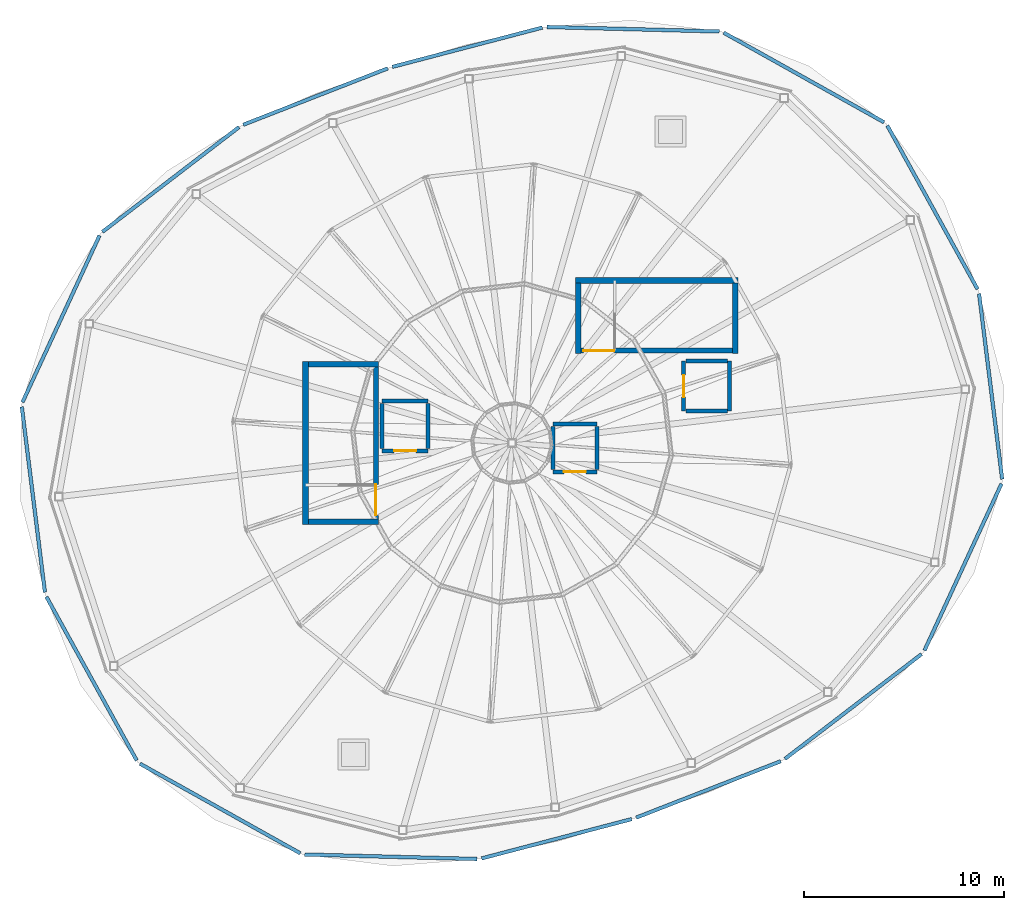
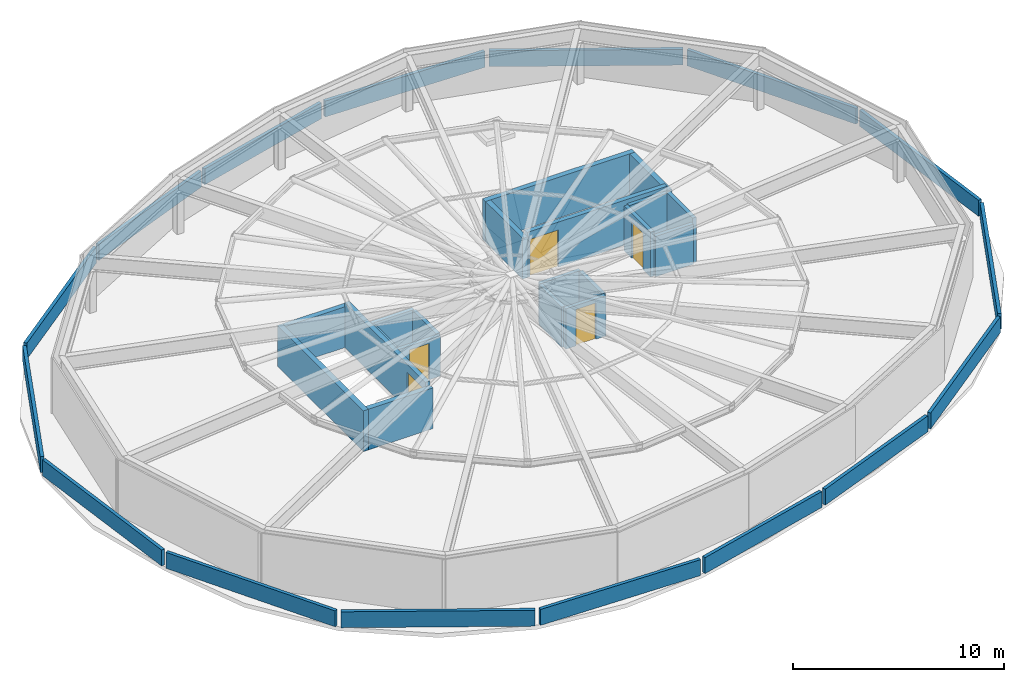
# One storey, part 8 of 9: 36 walls, 5 doors, 5 openings.
"""IFC4 building model written with IfcOpenShell, lengths in metres."""

from ifc_helpers import new_model, si_unit, direction, frame, frame_2d, origin, place, context, subcontext, project, spatial, rectangle, extrude, material, layer, layer_set, type_object, element, fill, save


model = new_model("IFC4")

# Units and contexts
model_context = context("Model", 3, precision=1e-05, world=origin(), true_north=direction((0.0, 1.0)))
body_context = subcontext(model_context, "Body", "Model", "MODEL_VIEW")
ifc_project = project(units=[si_unit("LENGTHUNIT", "METRE"), si_unit("AREAUNIT", "SQUARE_METRE"), si_unit("VOLUMEUNIT", "CUBIC_METRE"), si_unit("PLANEANGLEUNIT", "RADIAN"), si_unit("MASSUNIT", "GRAM", prefix="KILO")], contexts=[model_context])

# Site, building, storey
site_placement = place(None, origin())
site = spatial("IfcSite", under=ifc_project, at=site_placement, CompositionType="ELEMENT")
building_placement = place(site_placement, origin())
building = spatial("IfcBuilding", under=site, at=building_placement, Name="Kazma Halo Residences", CompositionType="ELEMENT")
storey_placement = place(building_placement, frame((0.0, 0.0, 377.60009765625)))
storey = spatial("IfcBuildingStorey", under=building, at=storey_placement, Name="Roof", CompositionType="ELEMENT", Elevation=377.60009765625)

# Walls
ifc_material_1 = material(Name="White Concrete C50/60 Balustrade", Category="concrete")
ifc_layer_1 = layer(ifc_material_1, 0.179931640625)
ifc_layer_set_1 = layer_set([ifc_layer_1], Name="White Concrete C50/60 Balustrade")
wall_type_1 = type_object("IfcWallType", Name="WL-BAL-WAVE-180", PredefinedType="PARAPET", material=ifc_layer_set_1)
wall_1_placement = place(storey_placement, frame((71.31689453125, 49.7001953125, 0.0), z_axis=(0.0, 0.0, 1.0), x_axis=(-0.483063555182, 0.875585290908, 0.0)))
element("IfcWall", 1, at=wall_1_placement, inside=storey, type_object=wall_type_1, Name="Crown maintenance roof low parapet wall 01", PredefinedType="PARAPET", context=body_context, shape_type="SweptSolid", body=[
    extrude(rectangle(XDim=9.362060546875, YDim=0.179931640625, at=frame_2d((4.68115234375, 0.0))), origin(), (0.0, 0.0, 1.0), 0.919921875),
])
wall_2_placement = place(storey_placement, frame((66.6318359375, 58.06103515625, 0.0), z_axis=(0.0, 0.0, 1.0), x_axis=(-0.872912226157, 0.487877285211, 0.0)))
element("IfcWall", 2, at=wall_2_placement, inside=storey, type_object=wall_type_1, Name="Crown maintenance roof low parapet wall 02", PredefinedType="PARAPET", context=body_context, shape_type="SweptSolid", body=[
    extrude(rectangle(XDim=9.196533203125, YDim=0.179931640625, at=frame_2d((4.59814453125, 0.0))), origin(), (0.0, 0.0, 1.0), 0.919921875),
])
wall_3_placement = place(storey_placement, frame((58.37939453125, 62.609375, 0.0), z_axis=(0.0, 0.0, 1.0), x_axis=(-0.999662855119, 0.025964901236, 0.0)))
element("IfcWall", 3, at=wall_3_placement, inside=storey, type_object=wall_type_1, Name="Crown maintenance roof low parapet wall 03", PredefinedType="PARAPET", context=body_context, shape_type="SweptSolid", body=[
    extrude(rectangle(XDim=8.622314453125, YDim=0.179931640625, at=frame_2d((4.31103515625, 0.0))), origin(), (0.0, 0.0, 1.0), 0.919921875),
])
for number, where, z_axis, x_axis, name in (
    (4, (49.523681640625, 62.805908203125, 0.0), (0.0, 0.0, 1.0), (-0.967332431453, -0.253511275999, 0.0), "Crown maintenance roof low parapet wall 04"),
    (5, (41.778076171875, 60.76171875, 0.0), (0.0, 0.0, 1.0), (-0.931599673734, -0.363485966576, 0.0), "Crown maintenance roof low parapet wall 05"),
):
    element("IfcWall", number, at=place(storey_placement, frame(where, z_axis=z_axis, x_axis=x_axis)), inside=storey, type_object=wall_type_1, Name=name, PredefinedType="PARAPET", context=body_context, shape_type="SweptSolid", body=[
        extrude(rectangle(XDim=7.771728515625, YDim=0.179931640625, at=frame_2d((3.8857421875, 0.0))), origin(), (0.0, 0.0, 1.0), 0.919921875),
    ])
wall_4_placement = place(storey_placement, frame((34.330810546875, 57.820068359375, 0.0), z_axis=(0.0, 0.0, 1.0), x_axis=(-0.793484210744, -0.608590837344, 0.0)))
element("IfcWall", 6, at=wall_4_placement, inside=storey, type_object=wall_type_1, Name="Crown maintenance roof low parapet wall 06", PredefinedType="PARAPET", context=body_context, shape_type="SweptSolid", body=[
    extrude(rectangle(XDim=8.62255859375, YDim=0.179931640625, at=frame_2d((4.311279296875, 0.0))), origin(), (0.0, 0.0, 1.0), 0.919921875),
])
wall_5_placement = place(storey_placement, frame((27.343505859375, 52.390380859375, 0.0), z_axis=(0.0, 0.0, 1.0), x_axis=(-0.419445339593, -0.907780594138, 0.0)))
element("IfcWall", 7, at=wall_5_placement, inside=storey, type_object=wall_type_1, Name="Crown maintenance roof low parapet wall 07", PredefinedType="PARAPET", context=body_context, shape_type="SweptSolid", body=[
    extrude(rectangle(XDim=9.196533203125, YDim=0.179931640625, at=frame_2d((4.59814453125, 0.0))), origin(), (0.0, 0.0, 1.0), 0.919921875),
])
for number, where, z_axis, x_axis, name in (
    (8, (23.45068359375, 43.814208984375, 0.0), (0.0, 0.0, 1.0), (0.123842159771, -0.992301929588, 0.0), "Crown maintenance roof low parapet wall 08"),
    (9, (24.68310546875, 34.2998046875, 0.0), (0.0, 0.0, 1.0), (0.483063555182, -0.875585290908, 0.0), "Crown maintenance roof low parapet wall 09"),
):
    element("IfcWall", number, at=place(storey_placement, frame(where, z_axis=z_axis, x_axis=x_axis)), inside=storey, type_object=wall_type_1, Name=name, PredefinedType="PARAPET", context=body_context, shape_type="SweptSolid", body=[
        extrude(rectangle(XDim=9.362060546875, YDim=0.179931640625, at=frame_2d((4.68115234375, 0.0))), origin(), (0.0, 0.0, 1.0), 0.919921875),
    ])
wall_6_placement = place(storey_placement, frame((29.3681640625, 25.93896484375, 0.0), z_axis=(0.0, 0.0, 1.0), x_axis=(0.872912226157, -0.487877285211, 0.0)))
element("IfcWall", 10, at=wall_6_placement, inside=storey, type_object=wall_type_1, Name="Crown maintenance roof low parapet wall 10", PredefinedType="PARAPET", context=body_context, shape_type="SweptSolid", body=[
    extrude(rectangle(XDim=9.196533203125, YDim=0.179931640625, at=frame_2d((4.59814453125, 0.0))), origin(), (0.0, 0.0, 1.0), 0.919921875),
])
wall_7_placement = place(storey_placement, frame((37.62060546875, 21.390625, 0.0), z_axis=(0.0, 0.0, 1.0), x_axis=(0.999662855119, -0.025964901236, 0.0)))
element("IfcWall", 11, at=wall_7_placement, inside=storey, type_object=wall_type_1, Name="Crown maintenance roof low parapet wall 11", PredefinedType="PARAPET", context=body_context, shape_type="SweptSolid", body=[
    extrude(rectangle(XDim=8.622314453125, YDim=0.179931640625, at=frame_2d((4.31103515625, 0.0))), origin(), (0.0, 0.0, 1.0), 0.919921875),
])
for number, where, z_axis, x_axis, name in (
    (12, (46.476318359375, 21.194091796875, 0.0), (0.0, 0.0, 1.0), (0.967332431453, 0.253511275999, 0.0), "Crown maintenance roof low parapet wall 12"),
    (13, (54.221923828125, 23.23828125, 0.0), (0.0, 0.0, 1.0), (0.931599673734, 0.363485966576, 0.0), "Crown maintenance roof low parapet wall 13"),
):
    element("IfcWall", number, at=place(storey_placement, frame(where, z_axis=z_axis, x_axis=x_axis)), inside=storey, type_object=wall_type_1, Name=name, PredefinedType="PARAPET", context=body_context, shape_type="SweptSolid", body=[
        extrude(rectangle(XDim=7.771728515625, YDim=0.179931640625, at=frame_2d((3.8857421875, 0.0))), origin(), (0.0, 0.0, 1.0), 0.919921875),
    ])
wall_8_placement = place(storey_placement, frame((61.669189453125, 26.179931640625, 0.0), z_axis=(0.0, 0.0, 1.0), x_axis=(0.793484210744, 0.608590837344, 0.0)))
element("IfcWall", 14, at=wall_8_placement, inside=storey, type_object=wall_type_1, Name="Crown maintenance roof low parapet wall 14", PredefinedType="PARAPET", context=body_context, shape_type="SweptSolid", body=[
    extrude(rectangle(XDim=8.62255859375, YDim=0.179931640625, at=frame_2d((4.311279296875, 0.0))), origin(), (0.0, 0.0, 1.0), 0.919921875),
])
wall_9_placement = place(storey_placement, frame((68.656494140625, 31.609619140625, 0.0), z_axis=(0.0, 0.0, 1.0), x_axis=(0.419445339593, 0.907780594138, 0.0)))
element("IfcWall", 15, at=wall_9_placement, inside=storey, type_object=wall_type_1, Name="Crown maintenance roof low parapet wall 15", PredefinedType="PARAPET", context=body_context, shape_type="SweptSolid", body=[
    extrude(rectangle(XDim=9.196533203125, YDim=0.179931640625, at=frame_2d((4.59814453125, 0.0))), origin(), (0.0, 0.0, 1.0), 0.919921875),
])
wall_10_placement = place(storey_placement, frame((72.54931640625, 40.185791015625, 0.0), z_axis=(0.0, 0.0, 1.0), x_axis=(-0.123842159771, 0.992301929588, 0.0)))
element("IfcWall", 16, at=wall_10_placement, inside=storey, type_object=wall_type_1, Name="Crown maintenance roof low parapet wall 16", PredefinedType="PARAPET", context=body_context, shape_type="SweptSolid", body=[
    extrude(rectangle(XDim=9.362060546875, YDim=0.179931640625, at=frame_2d((4.68115234375, 0.0))), origin(), (0.0, 0.0, 1.0), 0.919921875),
])

# Wall, opening, door
ifc_material_2 = material(Name="Concrete C50/60", Category="concrete")
ifc_layer_2 = layer(ifc_material_2, 0.25)
ifc_layer_set_2 = layer_set([ifc_layer_2], Name="Concrete C50/60")
wall_type_2 = type_object("IfcWallType", Name="WL-EXT-HH-250", PredefinedType="SOLIDWALL", material=ifc_layer_set_2)
wall_11_placement = place(storey_placement, frame((41.179931640625, 38.179931640625, 0.0), z_axis=(0.0, 0.0, 1.0), x_axis=(0.0, 1.0, 0.0)))
wall_11 = element("IfcWall", 17, at=wall_11_placement, inside=storey, type_object=wall_type_2, Name="Roof exit stair ST-01 head-house door wall", PredefinedType="SOLIDWALL", context=body_context, shape_type="SweptSolid", body=[
    extrude(rectangle(XDim=7.64013671875, YDim=0.25, at=frame_2d((3.820068359375, 0.0))), origin(), (0.0, 0.0, 1.0), 2.599853515625),
])
opening_1_placement = place(wall_11_placement, frame((0.199951171875, 0.0, 0.0)))
opening_1 = element("IfcOpeningElement", 18, at=opening_1_placement, cuts=wall_11, Name="Opening DHH-1550", PredefinedType="OPENING", context=body_context, shape_type="SweptSolid", body=[
    extrude(rectangle(XDim=1.550048828125, YDim=2.14990234375, at=frame_2d((0.77490234375, 1.074951171875))), frame((0.0, 0.135009765625, 0.0), z_axis=(0.0, -1.0, 0.0), x_axis=(1.0, 0.0, 0.0)), (0.0, 0.0, 1.0), 0.27001953125),
])
ifc_material_3 = material(Name="Fire-Rated Double Steel Leaf", Category="steel")
door_type_1 = type_object("IfcDoorType", Name="DR-EXT-HH-1550", OperationType="NOTDEFINED", PredefinedType="DOOR", material=ifc_material_3)
door_1_placement = place(opening_1_placement, origin())
door_1 = element("IfcDoor", 19, at=door_1_placement, inside=storey, type_object=door_type_1, Name="Roof exit stair ST-01 maintenance access door", OperationType="DOUBLE_DOOR_SINGLE_SWING", OverallHeight=2.14990234375, OverallWidth=1.550048828125, PredefinedType="DOOR", context=body_context, shape_type="SweptSolid", body=[
    extrude(rectangle(XDim=1.550048828125, YDim=2.14990234375, at=frame_2d((0.77490234375, 1.074951171875))), frame((0.0, 0.02490234375, 0.0), z_axis=(0.0, -1.0, 0.0), x_axis=(1.0, 0.0, 0.0)), (0.0, 0.0, 1.0), 0.050048828125),
])
fill(opening_1, door_1)

wall_12_placement = place(storey_placement, frame((51.429931640625, 46.6201171875, 0.0), z_axis=(0.0, 0.0, 1.0), x_axis=(1.0, 0.0, 0.0)))
wall_12 = element("IfcWall", 20, at=wall_12_placement, inside=storey, type_object=wall_type_2, Name="Roof exit stair ST-02 head-house door wall", PredefinedType="SOLIDWALL", context=body_context, shape_type="SweptSolid", body=[
    extrude(rectangle(XDim=7.64013671875, YDim=0.25, at=frame_2d((3.820068359375, 0.0))), origin(), (0.0, 0.0, 1.0), 2.599853515625),
])
opening_2_placement = place(wall_12_placement, frame((0.14990234375, 0.0, 0.0)))
opening_2 = element("IfcOpeningElement", 21, at=opening_2_placement, cuts=wall_12, Name="Opening DHH-1550", PredefinedType="OPENING", context=body_context, shape_type="SweptSolid", body=[
    extrude(rectangle(XDim=1.550048828125, YDim=2.14990234375, at=frame_2d((0.77490234375, 1.074951171875))), frame((0.0, 0.135009765625, 0.0), z_axis=(0.0, -1.0, 0.0), x_axis=(1.0, 0.0, 0.0)), (0.0, 0.0, 1.0), 0.27001953125),
])
door_2_placement = place(opening_2_placement, origin())
door_2 = element("IfcDoor", 22, at=door_2_placement, inside=storey, type_object=door_type_1, Name="Roof exit stair ST-02 maintenance access door", OperationType="DOUBLE_DOOR_SINGLE_SWING", OverallHeight=2.14990234375, OverallWidth=1.550048828125, PredefinedType="DOOR", context=body_context, shape_type="SweptSolid", body=[
    extrude(rectangle(XDim=1.550048828125, YDim=2.14990234375, at=frame_2d((0.77490234375, 1.074951171875))), frame((0.0, 0.02490234375, 0.0), z_axis=(0.0, -1.0, 0.0), x_axis=(1.0, 0.0, 0.0)), (0.0, 0.0, 1.0), 0.050048828125),
])
fill(opening_2, door_2)

# Walls
ifc_material_4 = material(Name="Concrete C60/75", Category="concrete")
ifc_layer_3 = layer(ifc_material_4, 0.280029296875)
ifc_layer_set_3 = layer_set([ifc_layer_3], Name="Concrete C60/75")
wall_type_3 = type_object("IfcWallType", Name="WL-EXT-HH-280", PredefinedType="SHEAR", material=ifc_layer_set_3)
wall_13_placement = place(storey_placement, frame((37.659912109375, 37.919921875, 0.0), z_axis=(0.0, 0.0, 1.0), x_axis=(0.0, 1.0, 0.0)))
element("IfcWall", 23, at=wall_13_placement, inside=storey, type_object=wall_type_3, Name="Roof stairwell head-house wall ST01-W", PredefinedType="SHEAR", context=body_context, shape_type="SweptSolid", body=[
    extrude(rectangle(XDim=8.16015625, YDim=0.280029296875, at=frame_2d((4.080078125, 0.0))), origin(), (0.0, 0.0, 1.0), 2.35400390625),
])
for number, where, z_axis, x_axis, name in (
    (24, (37.800048828125, 38.06005859375, 0.0), (0.0, 0.0, 1.0), (1.0, 0.0, 0.0), "Roof stairwell head-house wall ST01-S"),
    (25, (37.800048828125, 45.93994140625, 0.0), (0.0, 0.0, 1.0), (1.0, 0.0, 0.0), "Roof stairwell head-house wall ST01-N"),
):
    element("IfcWall", number, at=place(storey_placement, frame(where, z_axis=z_axis, x_axis=x_axis)), inside=storey, type_object=wall_type_3, Name=name, PredefinedType="SHEAR", context=body_context, shape_type="SweptSolid", body=[
        extrude(rectangle(XDim=3.52001953125, YDim=0.280029296875, at=frame_2d((1.760009765625, 0.0))), origin(), (0.0, 0.0, 1.0), 2.35400390625),
    ])
wall_14_placement = place(storey_placement, frame((51.169921875, 50.139892578125, 0.0), z_axis=(0.0, 0.0, 1.0), x_axis=(1.0, 0.0, 0.0)))
element("IfcWall", 26, at=wall_14_placement, inside=storey, type_object=wall_type_3, Name="Roof stairwell head-house wall ST02-N", PredefinedType="SHEAR", context=body_context, shape_type="SweptSolid", body=[
    extrude(rectangle(XDim=8.16015625, YDim=0.280029296875, at=frame_2d((4.080078125, 0.0))), origin(), (0.0, 0.0, 1.0), 2.35400390625),
])
for number, where, z_axis, x_axis, name in (
    (27, (51.31005859375, 46.47998046875, 0.0), (0.0, 0.0, 1.0), (0.0, 1.0, 0.0), "Roof stairwell head-house wall ST02-W"),
    (28, (59.18994140625, 46.47998046875, 0.0), (0.0, 0.0, 1.0), (0.0, 1.0, 0.0), "Roof stairwell head-house wall ST02-E"),
):
    element("IfcWall", number, at=place(storey_placement, frame(where, z_axis=z_axis, x_axis=x_axis)), inside=storey, type_object=wall_type_3, Name=name, PredefinedType="SHEAR", context=body_context, shape_type="SweptSolid", body=[
        extrude(rectangle(XDim=3.52001953125, YDim=0.280029296875, at=frame_2d((1.760009765625, 0.0))), origin(), (0.0, 0.0, 1.0), 2.35400390625),
    ])

# Wall, opening, door
ifc_material_5 = material(Name="Fire-Rated Blockwork Masonry", Category="masonry")
ifc_layer_4 = layer(ifc_material_5, 0.199951171875)
ifc_layer_set_4 = layer_set([ifc_layer_4], Name="Fire-Rated Blockwork Masonry")
wall_type_4 = type_object("IfcWallType", Name="WL-FLB-200", PredefinedType="PARTITIONING", material=ifc_layer_set_4)
wall_15_placement = place(storey_placement, frame((43.800048828125, 41.60009765625, 0.0), z_axis=(0.0, 0.0, 1.0), x_axis=(-1.0, 0.0, 0.0)))
wall_15 = element("IfcWall", 29, at=wall_15_placement, inside=storey, type_object=wall_type_4, Name="Roof lift shaft FL-01 front wall", PredefinedType="PARTITIONING", context=body_context, shape_type="SweptSolid", body=[
    extrude(rectangle(XDim=2.300048828125, YDim=0.199951171875, at=frame_2d((1.14990234375, 0.0))), origin(), (0.0, 0.0, 1.0), 2.328857421875),
])
opening_3_placement = place(wall_15_placement, frame((0.60009765625, 0.0, 0.0)))
opening_3 = element("IfcOpeningElement", 30, at=opening_3_placement, cuts=wall_15, Name="Opening LD-FL-01", PredefinedType="OPENING", context=body_context, shape_type="SweptSolid", body=[
    extrude(rectangle(XDim=1.10009765625, YDim=2.10009765625, at=frame_2d((0.550048828125, 1.050048828125))), frame((0.0, 0.10986328125, 0.0), z_axis=(0.0, -1.0, 0.0), x_axis=(1.0, 0.0, 0.0)), (0.0, 0.0, 1.0), 0.219970703125),
])
ifc_material_6 = material(Name="Stainless Steel Fire-Rated", Category="steel")
door_type_2 = type_object("IfcDoorType", Name="DR-LIFT-SLD-1100", OperationType="DOUBLE_DOOR_SLIDING", PredefinedType="DOOR", material=ifc_material_6)
door_3_placement = place(opening_3_placement, origin())
door_3 = element("IfcDoor", 31, at=door_3_placement, inside=storey, type_object=door_type_2, Name="Roof lift FL-01 sliding landing door", OperationType="DOUBLE_DOOR_SLIDING", OverallHeight=2.10009765625, OverallWidth=1.10009765625, PredefinedType="DOOR", context=body_context, shape_type="SweptSolid", body=[
    extrude(rectangle(XDim=1.10009765625, YDim=2.10009765625, at=frame_2d((0.550048828125, 1.050048828125))), frame((0.0, 0.02490234375, 0.0), z_axis=(0.0, -1.0, 0.0), x_axis=(1.0, 0.0, 0.0)), (0.0, 0.0, 1.0), 0.050048828125),
])
fill(opening_3, door_3)

# Walls
for number, where, z_axis, x_axis, name in (
    (32, (41.5, 41.719970703125, 0.0), (0.0, 0.0, 1.0), (0.0, 1.0, 0.0), "Roof lift shaft FL-01 wall W"),
    (33, (43.800048828125, 41.719970703125, 0.0), (0.0, 0.0, 1.0), (0.0, 1.0, 0.0), "Roof lift shaft FL-01 wall E"),
):
    element("IfcWall", number, at=place(storey_placement, frame(where, z_axis=z_axis, x_axis=x_axis)), inside=storey, type_object=wall_type_4, Name=name, PredefinedType="PARTITIONING", context=body_context, shape_type="SweptSolid", body=[
        extrude(rectangle(XDim=2.260009765625, YDim=0.199951171875, at=frame_2d((1.1298828125, 0.0))), origin(), (0.0, 0.0, 1.0), 2.328857421875),
    ])
wall_16_placement = place(storey_placement, frame((41.5, 44.10009765625, 0.0), z_axis=(0.0, 0.0, 1.0), x_axis=(1.0, 0.0, 0.0)))
element("IfcWall", 34, at=wall_16_placement, inside=storey, type_object=wall_type_4, Name="Roof lift shaft FL-01 wall N", PredefinedType="PARTITIONING", context=body_context, shape_type="SweptSolid", body=[
    extrude(rectangle(XDim=2.300048828125, YDim=0.199951171875, at=frame_2d((1.14990234375, 0.0))), origin(), (0.0, 0.0, 1.0), 2.328857421875),
])

# Wall, opening, door
wall_17_placement = place(storey_placement, frame((56.60009765625, 46.10009765625, 0.0), z_axis=(0.0, 0.0, 1.0), x_axis=(0.0, -1.0, 0.0)))
wall_17 = element("IfcWall", 35, at=wall_17_placement, inside=storey, type_object=wall_type_4, Name="Roof lift shaft FL-02 front wall", PredefinedType="PARTITIONING", context=body_context, shape_type="SweptSolid", body=[
    extrude(rectangle(XDim=2.5, YDim=0.199951171875, at=frame_2d((1.25, 0.0))), origin(), (0.0, 0.0, 1.0), 2.599853515625),
])
opening_4_placement = place(wall_17_placement, frame((0.699951171875, 0.0, 0.0)))
opening_4 = element("IfcOpeningElement", 36, at=opening_4_placement, cuts=wall_17, Name="Opening LD-FL-02", PredefinedType="OPENING", context=body_context, shape_type="SweptSolid", body=[
    extrude(rectangle(XDim=1.10009765625, YDim=2.10009765625, at=frame_2d((0.550048828125, 1.050048828125))), frame((0.0, 0.10986328125, 0.0), z_axis=(0.0, -1.0, 0.0), x_axis=(1.0, 0.0, 0.0)), (0.0, 0.0, 1.0), 0.219970703125),
])
door_4_placement = place(opening_4_placement, origin())
door_4 = element("IfcDoor", 37, at=door_4_placement, inside=storey, type_object=door_type_2, Name="Roof lift FL-02 sliding landing door", OperationType="DOUBLE_DOOR_SLIDING", OverallHeight=2.10009765625, OverallWidth=1.10009765625, PredefinedType="DOOR", context=body_context, shape_type="SweptSolid", body=[
    extrude(rectangle(XDim=1.10009765625, YDim=2.10009765625, at=frame_2d((0.550048828125, 1.050048828125))), frame((0.0, 0.02490234375, 0.0), z_axis=(0.0, -1.0, 0.0), x_axis=(1.0, 0.0, 0.0)), (0.0, 0.0, 1.0), 0.050048828125),
])
fill(opening_4, door_4)

# Walls
wall_18_placement = place(storey_placement, frame((56.719970703125, 46.10009765625, 0.0), z_axis=(0.0, 0.0, 1.0), x_axis=(1.0, 0.0, 0.0)))
element("IfcWall", 38, at=wall_18_placement, inside=storey, type_object=wall_type_4, Name="Roof lift shaft FL-02 wall N", PredefinedType="PARTITIONING", context=body_context, shape_type="SweptSolid", body=[
    extrude(rectangle(XDim=2.06005859375, YDim=0.199951171875, at=frame_2d((1.030029296875, 0.0))), origin(), (0.0, 0.0, 1.0), 2.599853515625),
])
wall_19_placement = place(storey_placement, frame((56.719970703125, 43.60009765625, 0.0), z_axis=(0.0, 0.0, 1.0), x_axis=(1.0, 0.0, 0.0)))
element("IfcWall", 39, at=wall_19_placement, inside=storey, type_object=wall_type_4, Name="Roof lift shaft FL-02 wall S", PredefinedType="PARTITIONING", context=body_context, shape_type="SweptSolid", body=[
    extrude(rectangle(XDim=2.06005859375, YDim=0.199951171875, at=frame_2d((1.030029296875, 0.0))), origin(), (0.0, 0.0, 1.0), 2.328857421875),
])
wall_20_placement = place(storey_placement, frame((58.89990234375, 43.60009765625, 0.0), z_axis=(0.0, 0.0, 1.0), x_axis=(0.0, 1.0, 0.0)))
element("IfcWall", 40, at=wall_20_placement, inside=storey, type_object=wall_type_4, Name="Roof lift shaft FL-02 wall E", PredefinedType="PARTITIONING", context=body_context, shape_type="SweptSolid", body=[
    extrude(rectangle(XDim=2.5, YDim=0.199951171875, at=frame_2d((1.25, 0.0))), origin(), (0.0, 0.0, 1.0), 2.599853515625),
])

# Wall, opening, door
wall_21_placement = place(storey_placement, frame((52.25, 40.550048828125, 0.0), z_axis=(0.0, 0.0, 1.0), x_axis=(-1.0, 0.0, 0.0)))
wall_21 = element("IfcWall", 41, at=wall_21_placement, inside=storey, type_object=wall_type_4, Name="Roof lift shaft SV-01 front wall", PredefinedType="PARTITIONING", context=body_context, shape_type="SweptSolid", body=[
    extrude(rectangle(XDim=2.199951171875, YDim=0.199951171875, at=frame_2d((1.10009765625, 0.0))), origin(), (0.0, 0.0, 1.0), 2.328857421875),
])
opening_5_placement = place(wall_21_placement, frame((0.550048828125, 0.0, 0.0)))
opening_5 = element("IfcOpeningElement", 42, at=opening_5_placement, cuts=wall_21, Name="Opening LD-SV-01", PredefinedType="OPENING", context=body_context, shape_type="SweptSolid", body=[
    extrude(rectangle(XDim=1.10009765625, YDim=2.10009765625, at=frame_2d((0.550048828125, 1.050048828125))), frame((0.0, 0.10986328125, 0.0), z_axis=(0.0, -1.0, 0.0), x_axis=(1.0, 0.0, 0.0)), (0.0, 0.0, 1.0), 0.219970703125),
])
door_5_placement = place(opening_5_placement, origin())
door_5 = element("IfcDoor", 43, at=door_5_placement, inside=storey, type_object=door_type_2, Name="Roof lift SV-01 sliding landing door", OperationType="DOUBLE_DOOR_SLIDING", OverallHeight=2.10009765625, OverallWidth=1.10009765625, PredefinedType="DOOR", context=body_context, shape_type="SweptSolid", body=[
    extrude(rectangle(XDim=1.10009765625, YDim=2.10009765625, at=frame_2d((0.550048828125, 1.050048828125))), frame((0.0, 0.02490234375, 0.0), z_axis=(0.0, -1.0, 0.0), x_axis=(1.0, 0.0, 0.0)), (0.0, 0.0, 1.0), 0.050048828125),
])
fill(opening_5, door_5)

# Walls
for number, where, z_axis, x_axis, name in (
    (44, (50.050048828125, 40.669921875, 0.0), (0.0, 0.0, 1.0), (0.0, 1.0, 0.0), "Roof lift shaft SV-01 wall W"),
    (45, (52.25, 40.669921875, 0.0), (0.0, 0.0, 1.0), (0.0, 1.0, 0.0), "Roof lift shaft SV-01 wall E"),
):
    element("IfcWall", number, at=place(storey_placement, frame(where, z_axis=z_axis, x_axis=x_axis)), inside=storey, type_object=wall_type_4, Name=name, PredefinedType="PARTITIONING", context=body_context, shape_type="SweptSolid", body=[
        extrude(rectangle(XDim=2.16015625, YDim=0.199951171875, at=frame_2d((1.080078125, 0.0))), origin(), (0.0, 0.0, 1.0), 2.328857421875),
    ])
wall_22_placement = place(storey_placement, frame((50.050048828125, 42.949951171875, 0.0), z_axis=(0.0, 0.0, 1.0), x_axis=(1.0, 0.0, 0.0)))
element("IfcWall", 46, at=wall_22_placement, inside=storey, type_object=wall_type_4, Name="Roof lift shaft SV-01 wall N", PredefinedType="PARTITIONING", context=body_context, shape_type="SweptSolid", body=[
    extrude(rectangle(XDim=2.199951171875, YDim=0.199951171875, at=frame_2d((1.10009765625, 0.0))), origin(), (0.0, 0.0, 1.0), 2.328857421875),
])

save(model, "model.ifc")
